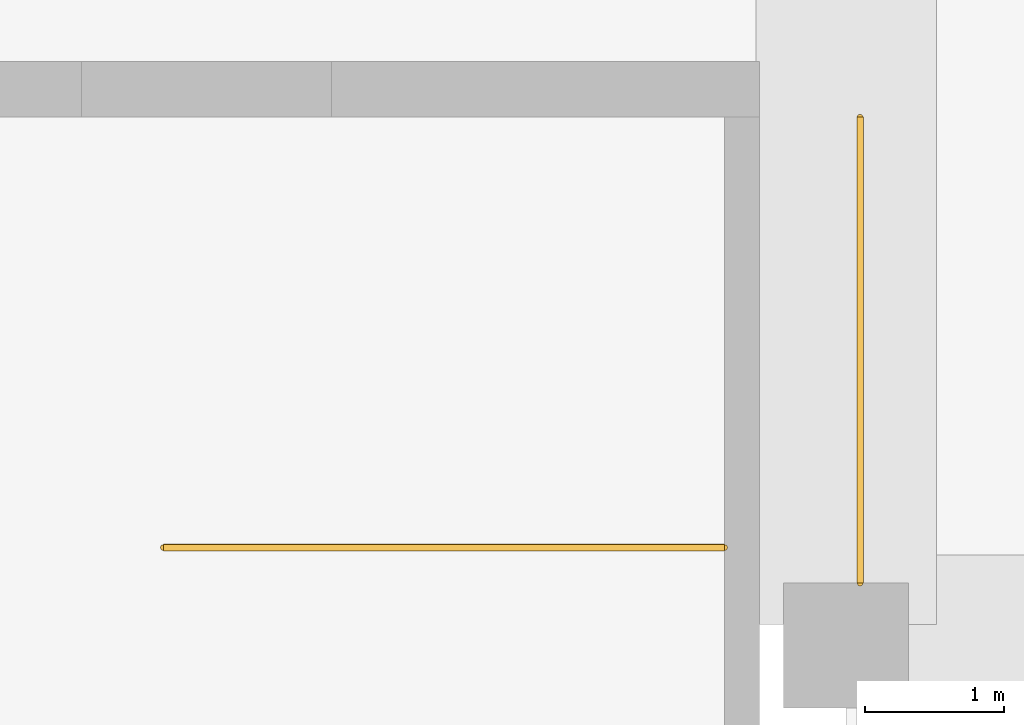
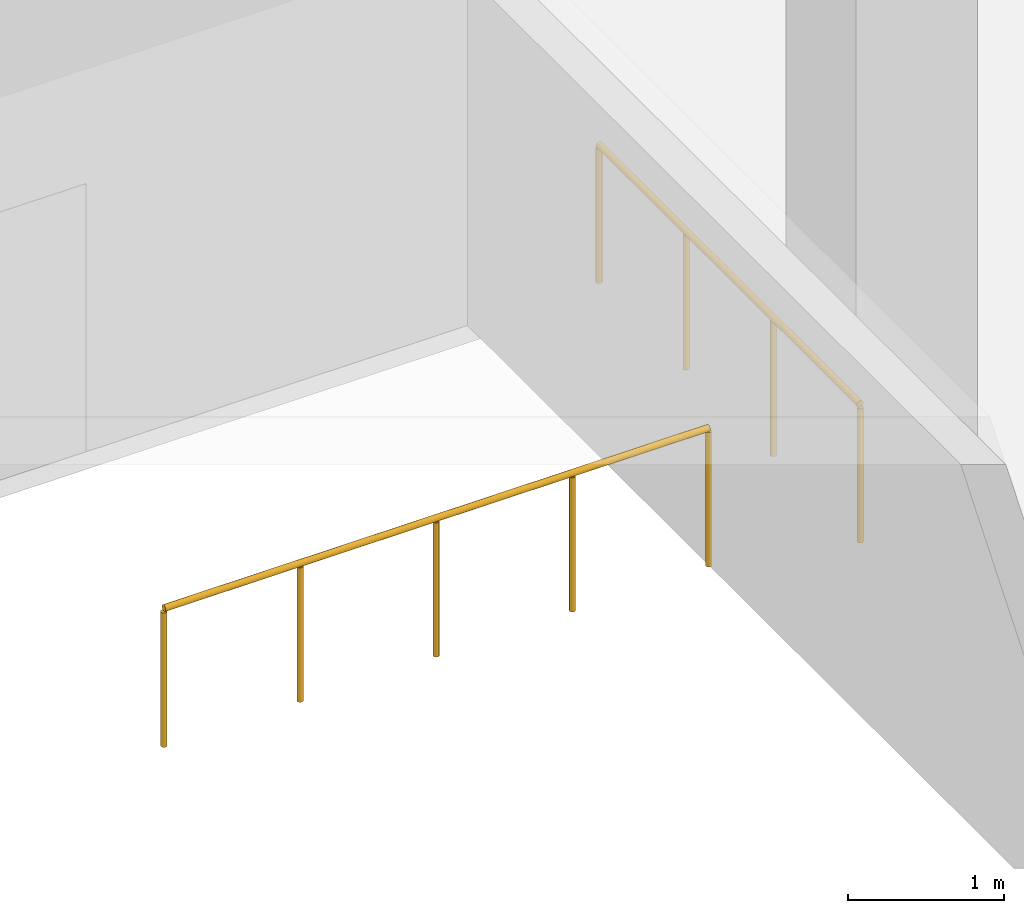
# One storey, part 25 of 28: 2 railings.
"""IFC4 building model written with IfcOpenShell, lengths in metres."""

from ifc_helpers import new_model, si_unit, direction, frame, origin, origin_2d, place, context, subcontext, project, spatial, circle, extrude, material, type_object, element, save


model = new_model("IFC4")

# Units and contexts
model_context = context("Model", 3, precision=1e-05, world=origin(), true_north=direction((0.0, 1.0)))
body_context = subcontext(model_context, "Body", "Model", "MODEL_VIEW")
ifc_project = project(units=[si_unit("LENGTHUNIT", "METRE"), si_unit("AREAUNIT", "SQUARE_METRE"), si_unit("VOLUMEUNIT", "CUBIC_METRE"), si_unit("PLANEANGLEUNIT", "RADIAN"), si_unit("MASSUNIT", "GRAM", prefix="KILO")], contexts=[model_context])

# Site, building, storey
site_placement = place(None, origin())
site = spatial("IfcSite", under=ifc_project, at=site_placement, CompositionType="ELEMENT")
building_placement = place(site_placement, origin())
building = spatial("IfcBuilding", under=site, at=building_placement, Name="Isbrekke Arena Tower", CompositionType="ELEMENT")
storey_placement = place(building_placement, origin())
storey = spatial("IfcBuildingStorey", under=building, at=storey_placement, Name="L00", CompositionType="ELEMENT", Elevation=0.0)

# Railings
ifc_material_1 = material(Name="Laminated glass balustrade, steel handrail", Category="steel")
railing_type_1 = type_object("IfcRailingType", Name="GR1 GUARD 1100 GLASS BALUSTRADE", PredefinedType="BALUSTRADE", material=ifc_material_1)
railing_1_placement = place(storey_placement, frame((48.10009765625, -6.199951171875, 0.0)))
element("IfcRailing", 1, at=railing_1_placement, inside=storey, type_object=railing_type_1, Name="GR1 concourse edge guard E1 L00", PredefinedType="BALUSTRADE", context=body_context, shape_type="SweptSolid", body=[
    extrude(circle(Radius=0.02392578125, at=origin_2d()), frame((0.0, 0.0, 1.076171875), z_axis=(0.0, -1.0, 0.0), x_axis=(1.0, 0.0, 0.0)), (0.0, 0.0, 1.0), 3.35009765625),
    extrude(circle(Radius=0.02099609375, at=origin_2d()), origin(), (0.0, 0.0, 1.0), 1.052001953125),
    extrude(circle(Radius=0.02099609375, at=origin_2d()), frame((0.0, -1.11669921875, 0.0)), (0.0, 0.0, 1.0), 1.052001953125),
    extrude(circle(Radius=0.02099609375, at=origin_2d()), frame((0.0, -2.2333984375, 0.0)), (0.0, 0.0, 1.0), 1.052001953125),
    extrude(circle(Radius=0.02099609375, at=origin_2d()), frame((0.0, -3.35009765625, 0.0)), (0.0, 0.0, 1.0), 1.052001953125),
])
ifc_material_2 = material(Name="Steel stair guard, vertical bars, steel handrail", Category="steel")
railing_type_2 = type_object("IfcRailingType", Name="GR3 STAIR WELL GUARD 1100", PredefinedType="GUARDRAIL", material=ifc_material_2)
railing_2_placement = place(storey_placement, frame((43.090087890625, -9.294921875, 0.0)))
element("IfcRailing", 2, at=railing_2_placement, inside=storey, type_object=railing_type_2, Name="GR3 stair well guard X2 L00", PredefinedType="GUARDRAIL", context=body_context, shape_type="SweptSolid", body=[
    extrude(circle(Radius=0.02392578125, at=origin_2d()), frame((0.0, 0.0, 1.076171875), z_axis=(1.0, 0.0, 0.0), x_axis=(0.0, 1.0, 0.0)), (0.0, 0.0, 1.0), 4.034912109375),
    extrude(circle(Radius=0.02099609375, at=origin_2d()), origin(), (0.0, 0.0, 1.0), 1.052001953125),
    extrude(circle(Radius=0.02099609375, at=origin_2d()), frame((1.0087890625, 0.0, 0.0)), (0.0, 0.0, 1.0), 1.052001953125),
    extrude(circle(Radius=0.02099609375, at=origin_2d()), frame((2.017578125, 0.0, 0.0)), (0.0, 0.0, 1.0), 1.052001953125),
    extrude(circle(Radius=0.02099609375, at=origin_2d()), frame((3.026123046875, 0.0, 0.0)), (0.0, 0.0, 1.0), 1.052001953125),
    extrude(circle(Radius=0.02099609375, at=origin_2d()), frame((4.034912109375, 0.0, 0.0)), (0.0, 0.0, 1.0), 1.052001953125),
])

save(model, "model.ifc")
